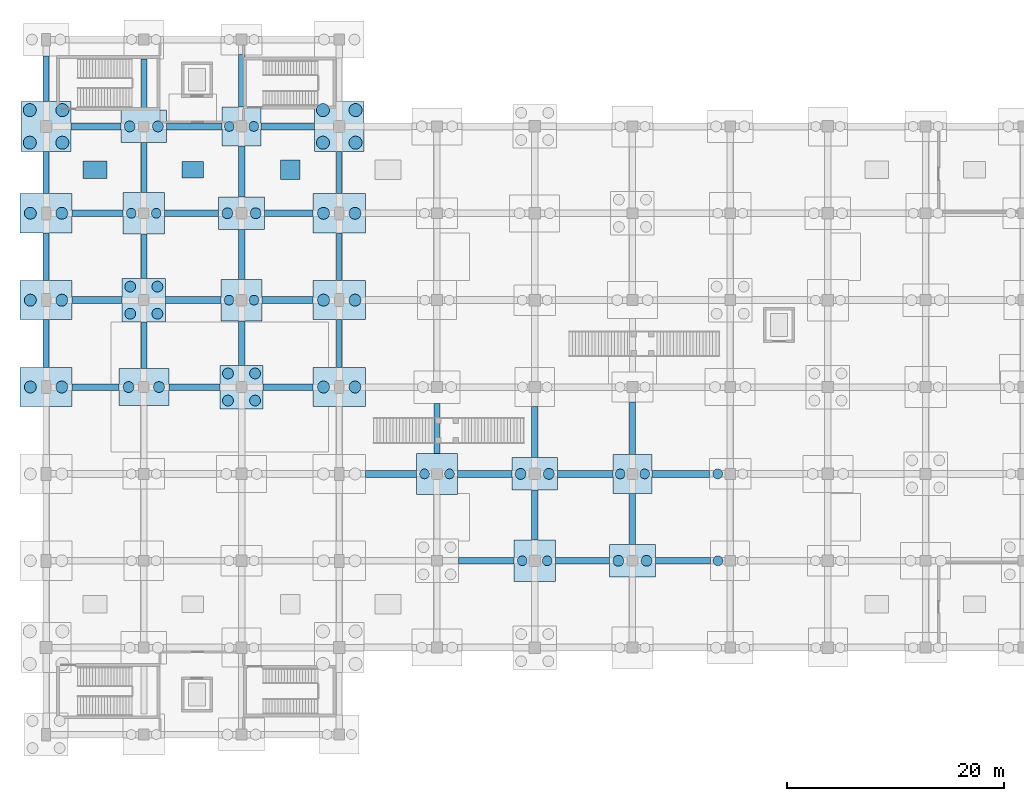
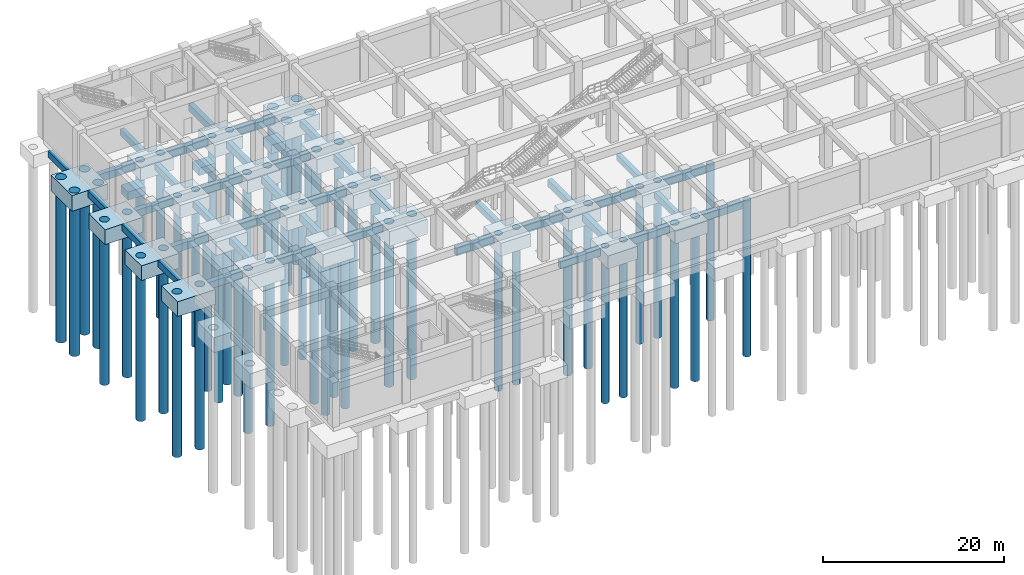
# One storey, part 2 of 18: 63 footings, 52 piles.
"""IFC4 building model written with IfcOpenShell, lengths in metres."""

from ifc_helpers import new_model, si_unit, derived_unit, direction, frame, origin, origin_2d, place, context, subcontext, project, spatial, rectangle, circle, extrude, material, material_profile, profile_set, type_object, element, save


model = new_model("IFC4")

# Units and contexts
model_context = context("Model", 3, precision=1e-05, world=origin(), true_north=direction((0.0, 1.0)))
body_context = subcontext(model_context, "Body", "Model", "MODEL_VIEW")
ifc_project = project(units=[si_unit("LENGTHUNIT", "METRE"), si_unit("AREAUNIT", "SQUARE_METRE"), si_unit("VOLUMEUNIT", "CUBIC_METRE"), si_unit("PLANEANGLEUNIT", "RADIAN"), si_unit("MASSUNIT", "GRAM", prefix="KILO"), derived_unit("THERMALTRANSMITTANCEUNIT", [(si_unit("MASSUNIT", "GRAM", prefix="KILO"), 1), (si_unit("TIMEUNIT", "SECOND"), -3), (si_unit("THERMODYNAMICTEMPERATUREUNIT", "KELVIN"), -1)])], contexts=[model_context])

# Site, building, storey
site_placement = place(None, origin())
site = spatial("IfcSite", under=ifc_project, at=site_placement, CompositionType="ELEMENT")
building_placement = place(site_placement, origin())
building = spatial("IfcBuilding", under=site, at=building_placement, Name="Zhenchuan Archway Interchange", CompositionType="ELEMENT")
storey_placement = place(building_placement, frame((0.0, 0.0, -12.0)))
storey = spatial("IfcBuildingStorey", under=building, at=storey_placement, Name="B2", CompositionType="ELEMENT", Elevation=-12.0)

# Footings
ifc_material_1 = material(Name="Concrete C40", Category="concrete")
ifc_material_profile_1 = material_profile(ifc_material_1, rectangle(XDim=0.64990234375, YDim=1.0, at=origin_2d()), Name="RC 650x1000")
ifc_profile_set_1 = profile_set([ifc_material_profile_1], Name="Concrete C40")
footing_type_1 = type_object("IfcFootingType", Name="FB_GROUND_1", PredefinedType="FOOTING_BEAM", material=ifc_profile_set_1)
footing_1_placement = place(storey_placement, frame((65.39990234375, 48.0, -1.5), z_axis=(1.0, 0.0, 0.0), x_axis=(0.0, 1.0, 0.0)))
element("IfcFooting", 1, at=footing_1_placement, inside=storey, type_object=footing_type_1, Name="Ground tie beam G:8-9 (B2)", PredefinedType="FOOTING_BEAM", context=body_context, shape_type="SweptSolid", body=[
    extrude(rectangle(XDim=0.64990234375, YDim=1.0, at=origin_2d()), origin(), (0.0, 0.0, 1.0), 4.7001953125),
])
footing_2_placement = place(storey_placement, frame((73.89990234375, 48.0, -1.5), z_axis=(1.0, 0.0, 0.0), x_axis=(0.0, 1.0, 0.0)))
element("IfcFooting", 2, at=footing_2_placement, inside=storey, type_object=footing_type_1, Name="Ground tie beam G:9-10 (B2)", PredefinedType="FOOTING_BEAM", context=body_context, shape_type="SweptSolid", body=[
    extrude(rectangle(XDim=0.64990234375, YDim=1.0, at=origin_2d()), origin(), (0.0, 0.0, 1.0), 5.0),
])
footing_3_placement = place(storey_placement, frame((83.10009765625, 48.0, -1.5), z_axis=(1.0, 0.0, 0.0), x_axis=(0.0, 1.0, 0.0)))
element("IfcFooting", 3, at=footing_3_placement, inside=storey, type_object=footing_type_1, Name="Ground tie beam G:10-11 (B2)", PredefinedType="FOOTING_BEAM", context=body_context, shape_type="SweptSolid", body=[
    extrude(rectangle(XDim=0.64990234375, YDim=1.0, at=origin_2d()), origin(), (0.0, 0.0, 1.0), 5.099853515625),
])
footing_4_placement = place(storey_placement, frame((91.800048828125, 48.0, -1.5), z_axis=(1.0, 0.0, 0.0), x_axis=(0.0, 1.0, 0.0)))
element("IfcFooting", 4, at=footing_4_placement, inside=storey, type_object=footing_type_1, Name="Ground tie beam G:11-12 (B2)", PredefinedType="FOOTING_BEAM", context=body_context, shape_type="SweptSolid", body=[
    extrude(rectangle(XDim=0.64990234375, YDim=1.0, at=origin_2d()), origin(), (0.0, 0.0, 1.0), 5.300048828125),
])
footing_5_placement = place(storey_placement, frame((38.39990234375, 64.0, -1.5), z_axis=(1.0, 0.0, 0.0), x_axis=(0.0, 1.0, 0.0)))
element("IfcFooting", 5, at=footing_5_placement, inside=storey, type_object=footing_type_1, Name="Ground tie beam J:5-6 (B2)", PredefinedType="FOOTING_BEAM", context=body_context, shape_type="SweptSolid", body=[
    extrude(rectangle(XDim=0.64990234375, YDim=1.0, at=origin_2d()), origin(), (0.0, 0.0, 1.0), 4.60009765625),
])
footing_6_placement = place(storey_placement, frame((47.0, 64.0, -1.5), z_axis=(1.0, 0.0, 0.0), x_axis=(0.0, 1.0, 0.0)))
element("IfcFooting", 6, at=footing_6_placement, inside=storey, type_object=footing_type_1, Name="Ground tie beam J:6-7 (B2)", PredefinedType="FOOTING_BEAM", context=body_context, shape_type="SweptSolid", body=[
    extrude(rectangle(XDim=0.64990234375, YDim=1.0, at=origin_2d()), origin(), (0.0, 0.0, 1.0), 5.10009765625),
])
footing_7_placement = place(storey_placement, frame((55.89990234375, 64.0, -1.5), z_axis=(1.0, 0.0, 0.0), x_axis=(0.0, 1.0, 0.0)))
element("IfcFooting", 7, at=footing_7_placement, inside=storey, type_object=footing_type_1, Name="Ground tie beam J:7-8 (B2)", PredefinedType="FOOTING_BEAM", context=body_context, shape_type="SweptSolid", body=[
    extrude(rectangle(XDim=0.64990234375, YDim=1.0, at=origin_2d()), origin(), (0.0, 0.0, 1.0), 4.7001953125),
])
footing_8_placement = place(storey_placement, frame((38.300048828125, 80.0, -1.5), z_axis=(1.0, 0.0, 0.0), x_axis=(0.0, 1.0, 0.0)))
element("IfcFooting", 8, at=footing_8_placement, inside=storey, type_object=footing_type_1, Name="Ground tie beam L:5-6 (B2)", PredefinedType="FOOTING_BEAM", context=body_context, shape_type="SweptSolid", body=[
    extrude(rectangle(XDim=0.64990234375, YDim=1.0, at=origin_2d()), origin(), (0.0, 0.0, 1.0), 4.599853515625),
])
footing_9_placement = place(storey_placement, frame((47.10009765625, 80.0, -1.5), z_axis=(1.0, 0.0, 0.0), x_axis=(0.0, 1.0, 0.0)))
element("IfcFooting", 9, at=footing_9_placement, inside=storey, type_object=footing_type_1, Name="Ground tie beam L:6-7 (B2)", PredefinedType="FOOTING_BEAM", context=body_context, shape_type="SweptSolid", body=[
    extrude(rectangle(XDim=0.64990234375, YDim=1.0, at=origin_2d()), origin(), (0.0, 0.0, 1.0), 5.099853515625),
])
footing_10_placement = place(storey_placement, frame((55.800048828125, 80.0, -1.5), z_axis=(1.0, 0.0, 0.0), x_axis=(0.0, 1.0, 0.0)))
element("IfcFooting", 10, at=footing_10_placement, inside=storey, type_object=footing_type_1, Name="Ground tie beam L:7-8 (B2)", PredefinedType="FOOTING_BEAM", context=body_context, shape_type="SweptSolid", body=[
    extrude(rectangle(XDim=0.64990234375, YDim=1.0, at=origin_2d()), origin(), (0.0, 0.0, 1.0), 4.89990234375),
])
ifc_material_profile_2 = material_profile(ifc_material_1, rectangle(XDim=0.60009765625, YDim=0.949951171875, at=origin_2d()), Name="RC 600x950")
ifc_profile_set_2 = profile_set([ifc_material_profile_2], Name="Concrete C40")
footing_type_2 = type_object("IfcFootingType", Name="FB_GROUND_2", PredefinedType="FOOTING_BEAM", material=ifc_profile_set_2)
footing_11_placement = place(storey_placement, frame((74.0, 40.0, -1.47509765625), z_axis=(1.0, 0.0, 0.0), x_axis=(0.0, 1.0, 0.0)))
element("IfcFooting", 11, at=footing_11_placement, inside=storey, type_object=footing_type_2, Name="Ground tie beam F:9-10 (B2)", PredefinedType="FOOTING_BEAM", context=body_context, shape_type="SweptSolid", body=[
    extrude(rectangle(XDim=0.60009765625, YDim=0.949951171875, at=origin_2d()), origin(), (0.0, 0.0, 1.0), 5.10009765625),
])
footing_12_placement = place(storey_placement, frame((82.89990234375, 40.0, -1.47509765625), z_axis=(1.0, 0.0, 0.0), x_axis=(0.0, 1.0, 0.0)))
element("IfcFooting", 12, at=footing_12_placement, inside=storey, type_object=footing_type_2, Name="Ground tie beam F:10-11 (B2)", PredefinedType="FOOTING_BEAM", context=body_context, shape_type="SweptSolid", body=[
    extrude(rectangle(XDim=0.60009765625, YDim=0.949951171875, at=origin_2d()), origin(), (0.0, 0.0, 1.0), 5.0),
])
footing_13_placement = place(storey_placement, frame((92.10009765625, 40.0, -1.47509765625), z_axis=(1.0, 0.0, 0.0), x_axis=(0.0, 1.0, 0.0)))
element("IfcFooting", 13, at=footing_13_placement, inside=storey, type_object=footing_type_2, Name="Ground tie beam F:11-12 (B2)", PredefinedType="FOOTING_BEAM", context=body_context, shape_type="SweptSolid", body=[
    extrude(rectangle(XDim=0.60009765625, YDim=0.949951171875, at=origin_2d()), origin(), (0.0, 0.0, 1.0), 5.099853515625),
])
footing_14_placement = place(storey_placement, frame((38.39990234375, 56.0, -1.47509765625), z_axis=(1.0, 0.0, 0.0), x_axis=(0.0, 1.0, 0.0)))
element("IfcFooting", 14, at=footing_14_placement, inside=storey, type_object=footing_type_2, Name="Ground tie beam H:5-6 (B2)", PredefinedType="FOOTING_BEAM", context=body_context, shape_type="SweptSolid", body=[
    extrude(rectangle(XDim=0.60009765625, YDim=0.949951171875, at=origin_2d()), origin(), (0.0, 0.0, 1.0), 4.300048828125),
])
footing_15_placement = place(storey_placement, frame((47.300048828125, 56.0, -1.47509765625), z_axis=(1.0, 0.0, 0.0), x_axis=(0.0, 1.0, 0.0)))
element("IfcFooting", 15, at=footing_15_placement, inside=storey, type_object=footing_type_2, Name="Ground tie beam H:6-7 (B2)", PredefinedType="FOOTING_BEAM", context=body_context, shape_type="SweptSolid", body=[
    extrude(rectangle(XDim=0.60009765625, YDim=0.949951171875, at=origin_2d()), origin(), (0.0, 0.0, 1.0), 4.699951171875),
])
footing_16_placement = place(storey_placement, frame((56.0, 56.0, -1.47509765625), z_axis=(1.0, 0.0, 0.0), x_axis=(0.0, 1.0, 0.0)))
element("IfcFooting", 16, at=footing_16_placement, inside=storey, type_object=footing_type_2, Name="Ground tie beam H:7-8 (B2)", PredefinedType="FOOTING_BEAM", context=body_context, shape_type="SweptSolid", body=[
    extrude(rectangle(XDim=0.60009765625, YDim=0.949951171875, at=origin_2d()), origin(), (0.0, 0.0, 1.0), 4.60009765625),
])
footing_17_placement = place(storey_placement, frame((38.39990234375, 72.0, -1.47509765625), z_axis=(1.0, 0.0, 0.0), x_axis=(0.0, 1.0, 0.0)))
element("IfcFooting", 17, at=footing_17_placement, inside=storey, type_object=footing_type_2, Name="Ground tie beam K:5-6 (B2)", PredefinedType="FOOTING_BEAM", context=body_context, shape_type="SweptSolid", body=[
    extrude(rectangle(XDim=0.60009765625, YDim=0.949951171875, at=origin_2d()), origin(), (0.0, 0.0, 1.0), 4.7001953125),
])
footing_18_placement = place(storey_placement, frame((46.89990234375, 72.0, -1.47509765625), z_axis=(1.0, 0.0, 0.0), x_axis=(0.0, 1.0, 0.0)))
element("IfcFooting", 18, at=footing_18_placement, inside=storey, type_object=footing_type_2, Name="Ground tie beam K:6-7 (B2)", PredefinedType="FOOTING_BEAM", context=body_context, shape_type="SweptSolid", body=[
    extrude(rectangle(XDim=0.60009765625, YDim=0.949951171875, at=origin_2d()), origin(), (0.0, 0.0, 1.0), 5.0),
])
footing_19_placement = place(storey_placement, frame((56.10009765625, 72.0, -1.47509765625), z_axis=(1.0, 0.0, 0.0), x_axis=(0.0, 1.0, 0.0)))
element("IfcFooting", 19, at=footing_19_placement, inside=storey, type_object=footing_type_2, Name="Ground tie beam K:7-8 (B2)", PredefinedType="FOOTING_BEAM", context=body_context, shape_type="SweptSolid", body=[
    extrude(rectangle(XDim=0.60009765625, YDim=0.949951171875, at=origin_2d()), origin(), (0.0, 0.0, 1.0), 4.5),
])
footing_20_placement = place(storey_placement, frame((54.0, 58.0, -1.47509765625), z_axis=(0.0, 1.0, 0.0), x_axis=(-1.0, 0.0, 0.0)))
element("IfcFooting", 20, at=footing_20_placement, inside=storey, type_object=footing_type_2, Name="Ground tie beam 7:H-J (B2)", PredefinedType="FOOTING_BEAM", context=body_context, shape_type="SweptSolid", body=[
    extrude(rectangle(XDim=0.60009765625, YDim=0.949951171875, at=origin_2d()), origin(), (0.0, 0.0, 1.0), 4.10009765625),
])
footing_21_placement = place(storey_placement, frame((54.0, 65.89990234375, -1.47509765625), z_axis=(0.0, 1.0, 0.0), x_axis=(-1.0, 0.0, 0.0)))
element("IfcFooting", 21, at=footing_21_placement, inside=storey, type_object=footing_type_2, Name="Ground tie beam 7:J-K (B2)", PredefinedType="FOOTING_BEAM", context=body_context, shape_type="SweptSolid", body=[
    extrude(rectangle(XDim=0.60009765625, YDim=0.949951171875, at=origin_2d()), origin(), (0.0, 0.0, 1.0), 4.60009765625),
])
footing_22_placement = place(storey_placement, frame((54.0, 73.5, -1.47509765625), z_axis=(0.0, 1.0, 0.0), x_axis=(-1.0, 0.0, 0.0)))
element("IfcFooting", 22, at=footing_22_placement, inside=storey, type_object=footing_type_2, Name="Ground tie beam 7:K-L (B2)", PredefinedType="FOOTING_BEAM", context=body_context, shape_type="SweptSolid", body=[
    extrude(rectangle(XDim=0.60009765625, YDim=0.949951171875, at=origin_2d()), origin(), (0.0, 0.0, 1.0), 4.699951171875),
])
footing_23_placement = place(storey_placement, frame((54.0, 81.800048828125, -1.47509765625), z_axis=(0.0, 1.0, 0.0), x_axis=(-1.0, 0.0, 0.0)))
element("IfcFooting", 23, at=footing_23_placement, inside=storey, type_object=footing_type_2, Name="Ground tie beam 7:L-M (B2)", PredefinedType="FOOTING_BEAM", context=body_context, shape_type="SweptSolid", body=[
    extrude(rectangle(XDim=0.60009765625, YDim=0.949951171875, at=origin_2d()), origin(), (0.0, 0.0, 1.0), 4.800048828125),
])
footing_24_placement = place(storey_placement, frame((81.0, 41.89990234375, -1.47509765625), z_axis=(0.0, 1.0, 0.0), x_axis=(-1.0, 0.0, 0.0)))
element("IfcFooting", 24, at=footing_24_placement, inside=storey, type_object=footing_type_2, Name="Ground tie beam 10:F-G (B2)", PredefinedType="FOOTING_BEAM", context=body_context, shape_type="SweptSolid", body=[
    extrude(rectangle(XDim=0.60009765625, YDim=0.949951171875, at=origin_2d()), origin(), (0.0, 0.0, 1.0), 4.60009765625),
])
footing_25_placement = place(storey_placement, frame((81.0, 49.5, -1.47509765625), z_axis=(0.0, 1.0, 0.0), x_axis=(-1.0, 0.0, 0.0)))
element("IfcFooting", 25, at=footing_25_placement, inside=storey, type_object=footing_type_2, Name="Ground tie beam 10:G-H (B2)", PredefinedType="FOOTING_BEAM", context=body_context, shape_type="SweptSolid", body=[
    extrude(rectangle(XDim=0.60009765625, YDim=0.949951171875, at=origin_2d()), origin(), (0.0, 0.0, 1.0), 4.699951171875),
])
ifc_material_profile_3 = material_profile(ifc_material_1, rectangle(XDim=0.550048828125, YDim=0.85009765625, at=origin_2d()), Name="RC 550x850")
ifc_profile_set_3 = profile_set([ifc_material_profile_3], Name="Concrete C40")
footing_type_3 = type_object("IfcFootingType", Name="FB_GROUND_3", PredefinedType="FOOTING_BEAM", material=ifc_profile_set_3)
for number, where, z_axis, x_axis, name in (
    (26, (36.0, 57.800048828125, -1.425048828125), (0.0, 1.0, 0.0), (-1.0, 0.0, 0.0), "Ground tie beam 5:H-J (B2)"),
    (27, (36.0, 65.800048828125, -1.425048828125), (0.0, 1.0, 0.0), (-1.0, 0.0, 0.0), "Ground tie beam 5:J-K (B2)"),
):
    element("IfcFooting", number, at=place(storey_placement, frame(where, z_axis=z_axis, x_axis=x_axis)), inside=storey, type_object=footing_type_3, Name=name, PredefinedType="FOOTING_BEAM", context=body_context, shape_type="SweptSolid", body=[
        extrude(rectangle(XDim=0.550048828125, YDim=0.85009765625, at=origin_2d()), origin(), (0.0, 0.0, 1.0), 4.39990234375),
    ])
footing_26_placement = place(storey_placement, frame((36.0, 73.800048828125, -1.425048828125), z_axis=(0.0, 1.0, 0.0), x_axis=(-1.0, 0.0, 0.0)))
element("IfcFooting", 28, at=footing_26_placement, inside=storey, type_object=footing_type_3, Name="Ground tie beam 5:K-L (B2)", PredefinedType="FOOTING_BEAM", context=body_context, shape_type="SweptSolid", body=[
    extrude(rectangle(XDim=0.550048828125, YDim=0.85009765625, at=origin_2d()), origin(), (0.0, 0.0, 1.0), 3.89990234375),
])
footing_27_placement = place(storey_placement, frame((36.0, 82.300048828125, -1.425048828125), z_axis=(0.0, 1.0, 0.0), x_axis=(-1.0, 0.0, 0.0)))
element("IfcFooting", 29, at=footing_27_placement, inside=storey, type_object=footing_type_3, Name="Ground tie beam 5:L-M (B2)", PredefinedType="FOOTING_BEAM", context=body_context, shape_type="SweptSolid", body=[
    extrude(rectangle(XDim=0.550048828125, YDim=0.85009765625, at=origin_2d()), origin(), (0.0, 0.0, 1.0), 4.199951171875),
])
footing_28_placement = place(storey_placement, frame((45.0, 57.699951171875, -1.425048828125), z_axis=(0.0, 1.0, 0.0), x_axis=(-1.0, 0.0, 0.0)))
element("IfcFooting", 30, at=footing_28_placement, inside=storey, type_object=footing_type_3, Name="Ground tie beam 6:H-J (B2)", PredefinedType="FOOTING_BEAM", context=body_context, shape_type="SweptSolid", body=[
    extrude(rectangle(XDim=0.550048828125, YDim=0.85009765625, at=origin_2d()), origin(), (0.0, 0.0, 1.0), 4.300048828125),
])
footing_29_placement = place(storey_placement, frame((45.0, 66.0, -1.425048828125), z_axis=(0.0, 1.0, 0.0), x_axis=(-1.0, 0.0, 0.0)))
element("IfcFooting", 31, at=footing_29_placement, inside=storey, type_object=footing_type_3, Name="Ground tie beam 6:J-K (B2)", PredefinedType="FOOTING_BEAM", context=body_context, shape_type="SweptSolid", body=[
    extrude(rectangle(XDim=0.550048828125, YDim=0.85009765625, at=origin_2d()), origin(), (0.0, 0.0, 1.0), 4.10009765625),
])
footing_30_placement = place(storey_placement, frame((45.0, 73.89990234375, -1.425048828125), z_axis=(0.0, 1.0, 0.0), x_axis=(-1.0, 0.0, 0.0)))
element("IfcFooting", 32, at=footing_30_placement, inside=storey, type_object=footing_type_3, Name="Ground tie beam 6:K-L (B2)", PredefinedType="FOOTING_BEAM", context=body_context, shape_type="SweptSolid", body=[
    extrude(rectangle(XDim=0.550048828125, YDim=0.85009765625, at=origin_2d()), origin(), (0.0, 0.0, 1.0), 4.60009765625),
])
footing_31_placement = place(storey_placement, frame((45.0, 81.5, -1.425048828125), z_axis=(0.0, 1.0, 0.0), x_axis=(-1.0, 0.0, 0.0)))
element("IfcFooting", 33, at=footing_31_placement, inside=storey, type_object=footing_type_3, Name="Ground tie beam 6:L-M (B2)", PredefinedType="FOOTING_BEAM", context=body_context, shape_type="SweptSolid", body=[
    extrude(rectangle(XDim=0.550048828125, YDim=0.85009765625, at=origin_2d()), origin(), (0.0, 0.0, 1.0), 4.699951171875),
])
for number, where, z_axis, x_axis, name in (
    (34, (63.0, 57.800048828125, -1.425048828125), (0.0, 1.0, 0.0), (-1.0, 0.0, 0.0), "Ground tie beam 8:H-J (B2)"),
    (35, (63.0, 65.800048828125, -1.425048828125), (0.0, 1.0, 0.0), (-1.0, 0.0, 0.0), "Ground tie beam 8:J-K (B2)"),
):
    element("IfcFooting", number, at=place(storey_placement, frame(where, z_axis=z_axis, x_axis=x_axis)), inside=storey, type_object=footing_type_3, Name=name, PredefinedType="FOOTING_BEAM", context=body_context, shape_type="SweptSolid", body=[
        extrude(rectangle(XDim=0.550048828125, YDim=0.85009765625, at=origin_2d()), origin(), (0.0, 0.0, 1.0), 4.39990234375),
    ])
footing_32_placement = place(storey_placement, frame((63.0, 73.800048828125, -1.425048828125), z_axis=(0.0, 1.0, 0.0), x_axis=(-1.0, 0.0, 0.0)))
element("IfcFooting", 36, at=footing_32_placement, inside=storey, type_object=footing_type_3, Name="Ground tie beam 8:K-L (B2)", PredefinedType="FOOTING_BEAM", context=body_context, shape_type="SweptSolid", body=[
    extrude(rectangle(XDim=0.550048828125, YDim=0.85009765625, at=origin_2d()), origin(), (0.0, 0.0, 1.0), 3.89990234375),
])
footing_33_placement = place(storey_placement, frame((72.0, 49.89990234375, -1.425048828125), z_axis=(0.0, 1.0, 0.0), x_axis=(-1.0, 0.0, 0.0)))
element("IfcFooting", 37, at=footing_33_placement, inside=storey, type_object=footing_type_3, Name="Ground tie beam 9:G-H (B2)", PredefinedType="FOOTING_BEAM", context=body_context, shape_type="SweptSolid", body=[
    extrude(rectangle(XDim=0.550048828125, YDim=0.85009765625, at=origin_2d()), origin(), (0.0, 0.0, 1.0), 4.60009765625),
])
footing_34_placement = place(storey_placement, frame((90.0, 41.5, -1.425048828125), z_axis=(0.0, 1.0, 0.0), x_axis=(-1.0, 0.0, 0.0)))
element("IfcFooting", 38, at=footing_34_placement, inside=storey, type_object=footing_type_3, Name="Ground tie beam 11:F-G (B2)", PredefinedType="FOOTING_BEAM", context=body_context, shape_type="SweptSolid", body=[
    extrude(rectangle(XDim=0.550048828125, YDim=0.85009765625, at=origin_2d()), origin(), (0.0, 0.0, 1.0), 4.699951171875),
])
footing_35_placement = place(storey_placement, frame((90.0, 49.800048828125, -1.425048828125), z_axis=(0.0, 1.0, 0.0), x_axis=(-1.0, 0.0, 0.0)))
element("IfcFooting", 39, at=footing_35_placement, inside=storey, type_object=footing_type_3, Name="Ground tie beam 11:G-H (B2)", PredefinedType="FOOTING_BEAM", context=body_context, shape_type="SweptSolid", body=[
    extrude(rectangle(XDim=0.550048828125, YDim=0.85009765625, at=origin_2d()), origin(), (0.0, 0.0, 1.0), 4.800048828125),
])
footing_type_4 = type_object("IfcFootingType", Name="PAD_EQUIP_1", PredefinedType="PAD_FOOTING", material=ifc_material_1)
footing_36_placement = place(storey_placement, frame((40.5, 76.0, -2.10009765625), z_axis=(0.0, 0.0, 1.0), x_axis=(1.0, 0.0, 0.0)))
element("IfcFooting", 40, at=footing_36_placement, inside=storey, type_object=footing_type_4, Name="Station plant equipment pad footing PF-05", PredefinedType="PAD_FOOTING", context=body_context, shape_type="SweptSolid", body=[
    extrude(rectangle(XDim=2.199951171875, YDim=1.60009765625, at=origin_2d()), origin(), (0.0, 0.0, 1.0), 1.10009765625),
])
footing_type_5 = type_object("IfcFootingType", Name="PAD_EQUIP_2", PredefinedType="PAD_FOOTING", material=ifc_material_1)
footing_37_placement = place(storey_placement, frame((49.5, 76.0, -2.0), z_axis=(0.0, 0.0, 1.0), x_axis=(1.0, 0.0, 0.0)))
element("IfcFooting", 41, at=footing_37_placement, inside=storey, type_object=footing_type_5, Name="Station plant equipment pad footing PF-06", PredefinedType="PAD_FOOTING", context=body_context, shape_type="SweptSolid", body=[
    extrude(rectangle(XDim=2.0, YDim=1.5, at=origin_2d()), origin(), (0.0, 0.0, 1.0), 1.0),
])
footing_type_6 = type_object("IfcFootingType", Name="PAD_EQUIP_3", PredefinedType="PAD_FOOTING", material=ifc_material_1)
footing_38_placement = place(storey_placement, frame((58.5, 76.0, -2.14990234375), z_axis=(0.0, 0.0, 1.0), x_axis=(1.0, 0.0, 0.0)))
element("IfcFooting", 42, at=footing_38_placement, inside=storey, type_object=footing_type_6, Name="Station plant equipment pad footing PF-07", PredefinedType="PAD_FOOTING", context=body_context, shape_type="SweptSolid", body=[
    extrude(rectangle(XDim=1.800048828125, YDim=1.800048828125, at=origin_2d()), origin(), (0.0, 0.0, 1.0), 1.14990234375),
])
footing_type_7 = type_object("IfcFootingType", Name="PC_B_38x38", PredefinedType="PILE_CAP", material=ifc_material_1)
for number, where, z_axis, x_axis, name in (
    (43, (81.0, 40.0, -2.75), (0.0, 0.0, 1.0), (1.0, 0.0, 0.0), "Pile cap PC-07 at 10/F (B2)"),
    (44, (45.0, 72.0, -2.75), (0.0, 0.0, 1.0), (1.0, 0.0, 0.0), "Pile cap PC-07 at 6/K (B2)"),
    (45, (54.0, 64.0, -2.75), (0.0, 0.0, 1.0), (1.0, 0.0, 0.0), "Pile cap PC-07 at 7/J (B2)"),
    (46, (72.0, 48.0, -2.75), (0.0, 0.0, 1.0), (1.0, 0.0, 0.0), "Pile cap PC-07 at 9/G (B2)"),
):
    element("IfcFooting", number, at=place(storey_placement, frame(where, z_axis=z_axis, x_axis=x_axis)), inside=storey, type_object=footing_type_7, Name=name, PredefinedType="PILE_CAP", context=body_context, shape_type="SweptSolid", body=[
        extrude(rectangle(XDim=3.800048828125, YDim=3.800048828125, at=origin_2d()), origin(), (0.0, 0.0, 1.0), 1.75),
    ])
footing_type_8 = type_object("IfcFootingType", Name="PC_B_42x30", PredefinedType="PILE_CAP", material=ifc_material_1)
for number, where, z_axis, x_axis, name in (
    (47, (81.0, 48.0, -2.7001953125), (0.0, 0.0, 1.0), (1.0, 0.0, 0.0), "Pile cap PC-08 at 10/G (B2)"),
    (48, (90.0, 40.0, -2.7001953125), (0.0, 0.0, 1.0), (1.0, 0.0, 0.0), "Pile cap PC-08 at 11/F (B2)"),
    (49, (45.0, 80.0, -2.7001953125), (0.0, 0.0, 1.0), (1.0, 0.0, 0.0), "Pile cap PC-08 at 6/L (B2)"),
    (50, (54.0, 72.0, -2.7001953125), (0.0, 0.0, 1.0), (1.0, 0.0, 0.0), "Pile cap PC-08 at 7/K (B2)"),
):
    element("IfcFooting", number, at=place(storey_placement, frame(where, z_axis=z_axis, x_axis=x_axis)), inside=storey, type_object=footing_type_8, Name=name, PredefinedType="PILE_CAP", context=body_context, shape_type="SweptSolid", body=[
        extrude(rectangle(XDim=4.199951171875, YDim=3.0, at=origin_2d()), origin(), (0.0, 0.0, 1.0), 1.699951171875),
    ])
footing_type_9 = type_object("IfcFootingType", Name="PC_C_46x34", PredefinedType="PILE_CAP", material=ifc_material_1)
footing_39_placement = place(storey_placement, frame((45.0, 56.0, -2.85009765625), z_axis=(0.0, 0.0, 1.0), x_axis=(1.0, 0.0, 0.0)))
element("IfcFooting", 51, at=footing_39_placement, inside=storey, type_object=footing_type_9, Name="Pile cap PC-05 at 6/H (B2)", PredefinedType="PILE_CAP", context=body_context, shape_type="SweptSolid", body=[
    extrude(rectangle(XDim=4.60009765625, YDim=3.39990234375, at=origin_2d()), origin(), (0.0, 0.0, 1.0), 1.85009765625),
])
footing_type_10 = type_object("IfcFootingType", Name="PC_M_36x36", PredefinedType="PILE_CAP", material=ifc_material_1)
for number, where, z_axis, x_axis, name in (
    (52, (90.0, 48.0, -2.64990234375), (0.0, 0.0, 1.0), (1.0, 0.0, 0.0), "Pile cap PC-09 at 11/G (B2)"),
    (53, (54.0, 80.0, -2.64990234375), (0.0, 0.0, 1.0), (1.0, 0.0, 0.0), "Pile cap PC-09 at 7/L (B2)"),
):
    element("IfcFooting", number, at=place(storey_placement, frame(where, z_axis=z_axis, x_axis=x_axis)), inside=storey, type_object=footing_type_10, Name=name, PredefinedType="PILE_CAP", context=body_context, shape_type="SweptSolid", body=[
        extrude(rectangle(XDim=3.60009765625, YDim=3.60009765625, at=origin_2d()), origin(), (0.0, 0.0, 1.0), 1.64990234375),
    ])
footing_type_11 = type_object("IfcFootingType", Name="PC_R_40x40", PredefinedType="PILE_CAP", material=ifc_material_1)
for number, where, z_axis, x_axis, name in (
    (54, (45.0, 64.0, -2.7998046875), (0.0, 0.0, 1.0), (1.0, 0.0, 0.0), "Pile cap PC-06 at 6/J (B2)"),
    (55, (54.0, 56.0, -2.7998046875), (0.0, 0.0, 1.0), (1.0, 0.0, 0.0), "Pile cap PC-06 at 7/H (B2)"),
):
    element("IfcFooting", number, at=place(storey_placement, frame(where, z_axis=z_axis, x_axis=x_axis)), inside=storey, type_object=footing_type_11, Name=name, PredefinedType="PILE_CAP", context=body_context, shape_type="SweptSolid", body=[
        extrude(rectangle(XDim=4.0, YDim=4.0, at=origin_2d()), origin(), (0.0, 0.0, 1.0), 1.800048828125),
    ])
footing_type_12 = type_object("IfcFootingType", Name="PC_T_46x46", PredefinedType="PILE_CAP", material=ifc_material_1)
for number, where, z_axis, x_axis, name in (
    (56, (36.0, 80.0, -3.10009765625), (0.0, 0.0, 1.0), (1.0, 0.0, 0.0), "Pile cap PC-01 at 5/L (B2)"),
    (57, (63.0, 80.0, -3.10009765625), (0.0, 0.0, 1.0), (1.0, 0.0, 0.0), "Pile cap PC-01 at 8/L (B2)"),
):
    element("IfcFooting", number, at=place(storey_placement, frame(where, z_axis=z_axis, x_axis=x_axis)), inside=storey, type_object=footing_type_12, Name=name, PredefinedType="PILE_CAP", context=body_context, shape_type="SweptSolid", body=[
        extrude(rectangle(XDim=4.60009765625, YDim=4.60009765625, at=origin_2d()), origin(), (0.0, 0.0, 1.0), 2.10009765625),
    ])
footing_type_13 = type_object("IfcFootingType", Name="PC_T_48x36", PredefinedType="PILE_CAP", material=ifc_material_1)
for number, where, z_axis, x_axis, name in (
    (58, (36.0, 56.0, -3.0), (0.0, 0.0, 1.0), (1.0, 0.0, 0.0), "Pile cap PC-03 at 5/H (B2)"),
    (59, (36.0, 64.0, -3.0), (0.0, 0.0, 1.0), (1.0, 0.0, 0.0), "Pile cap PC-03 at 5/J (B2)"),
    (60, (36.0, 72.0, -3.0), (0.0, 0.0, 1.0), (1.0, 0.0, 0.0), "Pile cap PC-03 at 5/K (B2)"),
    (61, (63.0, 56.0, -3.0), (0.0, 0.0, 1.0), (1.0, 0.0, 0.0), "Pile cap PC-03 at 8/H (B2)"),
    (62, (63.0, 64.0, -3.0), (0.0, 0.0, 1.0), (1.0, 0.0, 0.0), "Pile cap PC-03 at 8/J (B2)"),
    (63, (63.0, 72.0, -3.0), (0.0, 0.0, 1.0), (1.0, 0.0, 0.0), "Pile cap PC-03 at 8/K (B2)"),
):
    element("IfcFooting", number, at=place(storey_placement, frame(where, z_axis=z_axis, x_axis=x_axis)), inside=storey, type_object=footing_type_13, Name=name, PredefinedType="PILE_CAP", context=body_context, shape_type="SweptSolid", body=[
        extrude(rectangle(XDim=4.800048828125, YDim=3.60009765625, at=origin_2d()), origin(), (0.0, 0.0, 1.0), 2.0),
    ])

# Piles
ifc_material_2 = material(Name="Concrete C35", Category="concrete")
ifc_material_profile_4 = material_profile(ifc_material_2, circle(Radius=0.5, at=origin_2d()), Name="BORED PILE 1000")
ifc_profile_set_4 = profile_set([ifc_material_profile_4], Name="Concrete C35")
pile_type_1 = type_object("IfcPileType", Name="PILE_D1000", PredefinedType="BORED", material=ifc_profile_set_4)
for number, where, z_axis, x_axis, name in (
    (64, (79.699951171875, 48.0, -1.0), (0.0, 0.0, -1.0), (1.0, 0.0, 0.0), "Bored pile at 10/G #1 (B2)"),
    (65, (82.300048828125, 48.0, -1.0), (0.0, 0.0, -1.0), (1.0, 0.0, 0.0), "Bored pile at 10/G #2 (B2)"),
    (66, (88.699951171875, 40.0, -1.0), (0.0, 0.0, -1.0), (1.0, 0.0, 0.0), "Bored pile at 11/F #1 (B2)"),
    (67, (91.300048828125, 40.0, -1.0), (0.0, 0.0, -1.0), (1.0, 0.0, 0.0), "Bored pile at 11/F #2 (B2)"),
    (68, (43.60009765625, 56.0, -1.0), (0.0, 0.0, -1.0), (1.0, 0.0, 0.0), "Bored pile at 6/H #1 (B2)"),
    (69, (46.39990234375, 56.0, -1.0), (0.0, 0.0, -1.0), (1.0, 0.0, 0.0), "Bored pile at 6/H #2 (B2)"),
    (70, (43.75, 62.75, -1.0), (0.0, 0.0, -1.0), (1.0, 0.0, 0.0), "Bored pile at 6/J #1 (B2)"),
    (71, (46.25, 62.75, -1.0), (0.0, 0.0, -1.0), (1.0, 0.0, 0.0), "Bored pile at 6/J #2 (B2)"),
    (72, (43.75, 65.25, -1.0), (0.0, 0.0, -1.0), (1.0, 0.0, 0.0), "Bored pile at 6/J #3 (B2)"),
    (73, (46.25, 65.25, -1.0), (0.0, 0.0, -1.0), (1.0, 0.0, 0.0), "Bored pile at 6/J #4 (B2)"),
    (74, (43.699951171875, 80.0, -1.0), (0.0, 0.0, -1.0), (1.0, 0.0, 0.0), "Bored pile at 6/L #1 (B2)"),
    (75, (46.300048828125, 80.0, -1.0), (0.0, 0.0, -1.0), (1.0, 0.0, 0.0), "Bored pile at 6/L #2 (B2)"),
    (76, (52.75, 54.75, -1.0), (0.0, 0.0, -1.0), (1.0, 0.0, 0.0), "Bored pile at 7/H #1 (B2)"),
    (77, (55.25, 54.75, -1.0), (0.0, 0.0, -1.0), (1.0, 0.0, 0.0), "Bored pile at 7/H #2 (B2)"),
    (78, (52.75, 57.25, -1.0), (0.0, 0.0, -1.0), (1.0, 0.0, 0.0), "Bored pile at 7/H #3 (B2)"),
    (79, (55.25, 57.25, -1.0), (0.0, 0.0, -1.0), (1.0, 0.0, 0.0), "Bored pile at 7/H #4 (B2)"),
    (80, (52.699951171875, 72.0, -1.0), (0.0, 0.0, -1.0), (1.0, 0.0, 0.0), "Bored pile at 7/K #1 (B2)"),
    (81, (55.300048828125, 72.0, -1.0), (0.0, 0.0, -1.0), (1.0, 0.0, 0.0), "Bored pile at 7/K #2 (B2)"),
):
    element("IfcPile", number, at=place(storey_placement, frame(where, z_axis=z_axis, x_axis=x_axis)), inside=storey, type_object=pile_type_1, Name=name, PredefinedType="BORED", context=body_context, shape_type="SweptSolid", body=[
        extrude(circle(Radius=0.5, at=origin_2d()), origin(), (0.0, 0.0, 1.0), 22.0),
    ])
ifc_material_profile_5 = material_profile(ifc_material_2, circle(Radius=0.550048828125, at=origin_2d()), Name="BORED PILE 1100")
ifc_profile_set_5 = profile_set([ifc_material_profile_5], Name="Concrete C35")
pile_type_2 = type_object("IfcPileType", Name="PILE_D1100", PredefinedType="BORED", material=ifc_profile_set_5)
for number, where, z_axis, x_axis, name in (
    (82, (34.550048828125, 56.0, -1.0), (0.0, 0.0, -1.0), (1.0, 0.0, 0.0), "Bored pile at 5/H #1 (B2)"),
    (83, (37.449951171875, 56.0, -1.0), (0.0, 0.0, -1.0), (1.0, 0.0, 0.0), "Bored pile at 5/H #2 (B2)"),
    (84, (34.550048828125, 64.0, -1.0), (0.0, 0.0, -1.0), (1.0, 0.0, 0.0), "Bored pile at 5/J #1 (B2)"),
    (85, (37.449951171875, 64.0, -1.0), (0.0, 0.0, -1.0), (1.0, 0.0, 0.0), "Bored pile at 5/J #2 (B2)"),
    (86, (34.550048828125, 72.0, -1.0), (0.0, 0.0, -1.0), (1.0, 0.0, 0.0), "Bored pile at 5/K #1 (B2)"),
    (87, (37.449951171875, 72.0, -1.0), (0.0, 0.0, -1.0), (1.0, 0.0, 0.0), "Bored pile at 5/K #2 (B2)"),
    (88, (61.550048828125, 56.0, -1.0), (0.0, 0.0, -1.0), (1.0, 0.0, 0.0), "Bored pile at 8/H #1 (B2)"),
    (89, (64.449951171875, 56.0, -1.0), (0.0, 0.0, -1.0), (1.0, 0.0, 0.0), "Bored pile at 8/H #2 (B2)"),
    (90, (61.550048828125, 64.0, -1.0), (0.0, 0.0, -1.0), (1.0, 0.0, 0.0), "Bored pile at 8/J #1 (B2)"),
    (91, (64.449951171875, 64.0, -1.0), (0.0, 0.0, -1.0), (1.0, 0.0, 0.0), "Bored pile at 8/J #2 (B2)"),
    (92, (61.550048828125, 72.0, -1.0), (0.0, 0.0, -1.0), (1.0, 0.0, 0.0), "Bored pile at 8/K #1 (B2)"),
    (93, (64.449951171875, 72.0, -1.0), (0.0, 0.0, -1.0), (1.0, 0.0, 0.0), "Bored pile at 8/K #2 (B2)"),
):
    element("IfcPile", number, at=place(storey_placement, frame(where, z_axis=z_axis, x_axis=x_axis)), inside=storey, type_object=pile_type_2, Name=name, PredefinedType="BORED", context=body_context, shape_type="SweptSolid", body=[
        extrude(circle(Radius=0.550048828125, at=origin_2d()), origin(), (0.0, 0.0, 1.0), 22.0),
    ])
ifc_material_profile_6 = material_profile(ifc_material_2, circle(Radius=0.60009765625, at=origin_2d()), Name="BORED PILE 1200")
ifc_profile_set_6 = profile_set([ifc_material_profile_6], Name="Concrete C35")
pile_type_3 = type_object("IfcPileType", Name="PILE_D1200", PredefinedType="BORED", material=ifc_profile_set_6)
for number, where, z_axis, x_axis, name in (
    (94, (34.5, 78.5, -1.0), (0.0, 0.0, -1.0), (1.0, 0.0, 0.0), "Bored pile at 5/L #1 (B2)"),
    (95, (37.5, 78.5, -1.0), (0.0, 0.0, -1.0), (1.0, 0.0, 0.0), "Bored pile at 5/L #2 (B2)"),
    (96, (34.5, 81.5, -1.0), (0.0, 0.0, -1.0), (1.0, 0.0, 0.0), "Bored pile at 5/L #3 (B2)"),
    (97, (37.5, 81.5, -1.0), (0.0, 0.0, -1.0), (1.0, 0.0, 0.0), "Bored pile at 5/L #4 (B2)"),
    (98, (61.5, 78.5, -1.0), (0.0, 0.0, -1.0), (1.0, 0.0, 0.0), "Bored pile at 8/L #1 (B2)"),
    (99, (64.5, 78.5, -1.0), (0.0, 0.0, -1.0), (1.0, 0.0, 0.0), "Bored pile at 8/L #2 (B2)"),
    (100, (61.5, 81.5, -1.0), (0.0, 0.0, -1.0), (1.0, 0.0, 0.0), "Bored pile at 8/L #3 (B2)"),
    (101, (64.5, 81.5, -1.0), (0.0, 0.0, -1.0), (1.0, 0.0, 0.0), "Bored pile at 8/L #4 (B2)"),
):
    element("IfcPile", number, at=place(storey_placement, frame(where, z_axis=z_axis, x_axis=x_axis)), inside=storey, type_object=pile_type_3, Name=name, PredefinedType="BORED", context=body_context, shape_type="SweptSolid", body=[
        extrude(circle(Radius=0.60009765625, at=origin_2d()), origin(), (0.0, 0.0, 1.0), 22.0),
    ])
ifc_material_profile_7 = material_profile(ifc_material_2, circle(Radius=0.449951171875, at=origin_2d()), Name="BORED PILE 900")
ifc_profile_set_7 = profile_set([ifc_material_profile_7], Name="Concrete C35")
pile_type_4 = type_object("IfcPileType", Name="PILE_D900", PredefinedType="BORED", material=ifc_profile_set_7)
for number, where, z_axis, x_axis, name in (
    (102, (79.85009765625, 40.0, -1.0), (0.0, 0.0, -1.0), (1.0, 0.0, 0.0), "Bored pile at 10/F #1 (B2)"),
    (103, (82.14990234375, 40.0, -1.0), (0.0, 0.0, -1.0), (1.0, 0.0, 0.0), "Bored pile at 10/F #2 (B2)"),
    (104, (88.875, 48.0, -1.0), (0.0, 0.0, -1.0), (1.0, 0.0, 0.0), "Bored pile at 11/G #1 (B2)"),
    (105, (91.125, 48.0, -1.0), (0.0, 0.0, -1.0), (1.0, 0.0, 0.0), "Bored pile at 11/G #2 (B2)"),
    (106, (97.875, 40.0, -1.0), (0.0, 0.0, -1.0), (1.0, 0.0, 0.0), "Bored pile at 12/F #1 (B2)"),
    (107, (97.85009765625, 48.0, -1.0), (0.0, 0.0, -1.0), (1.0, 0.0, 0.0), "Bored pile at 12/G #1 (B2)"),
    (108, (43.85009765625, 72.0, -1.0), (0.0, 0.0, -1.0), (1.0, 0.0, 0.0), "Bored pile at 6/K #1 (B2)"),
    (109, (46.14990234375, 72.0, -1.0), (0.0, 0.0, -1.0), (1.0, 0.0, 0.0), "Bored pile at 6/K #2 (B2)"),
    (110, (52.85009765625, 64.0, -1.0), (0.0, 0.0, -1.0), (1.0, 0.0, 0.0), "Bored pile at 7/J #1 (B2)"),
    (111, (55.14990234375, 64.0, -1.0), (0.0, 0.0, -1.0), (1.0, 0.0, 0.0), "Bored pile at 7/J #2 (B2)"),
    (112, (52.875, 80.0, -1.0), (0.0, 0.0, -1.0), (1.0, 0.0, 0.0), "Bored pile at 7/L #1 (B2)"),
    (113, (55.125, 80.0, -1.0), (0.0, 0.0, -1.0), (1.0, 0.0, 0.0), "Bored pile at 7/L #2 (B2)"),
    (114, (70.85009765625, 48.0, -1.0), (0.0, 0.0, -1.0), (1.0, 0.0, 0.0), "Bored pile at 9/G #1 (B2)"),
    (115, (73.14990234375, 48.0, -1.0), (0.0, 0.0, -1.0), (1.0, 0.0, 0.0), "Bored pile at 9/G #2 (B2)"),
):
    element("IfcPile", number, at=place(storey_placement, frame(where, z_axis=z_axis, x_axis=x_axis)), inside=storey, type_object=pile_type_4, Name=name, PredefinedType="BORED", context=body_context, shape_type="SweptSolid", body=[
        extrude(circle(Radius=0.449951171875, at=origin_2d()), origin(), (0.0, 0.0, 1.0), 21.0),
    ])

save(model, "model.ifc")
